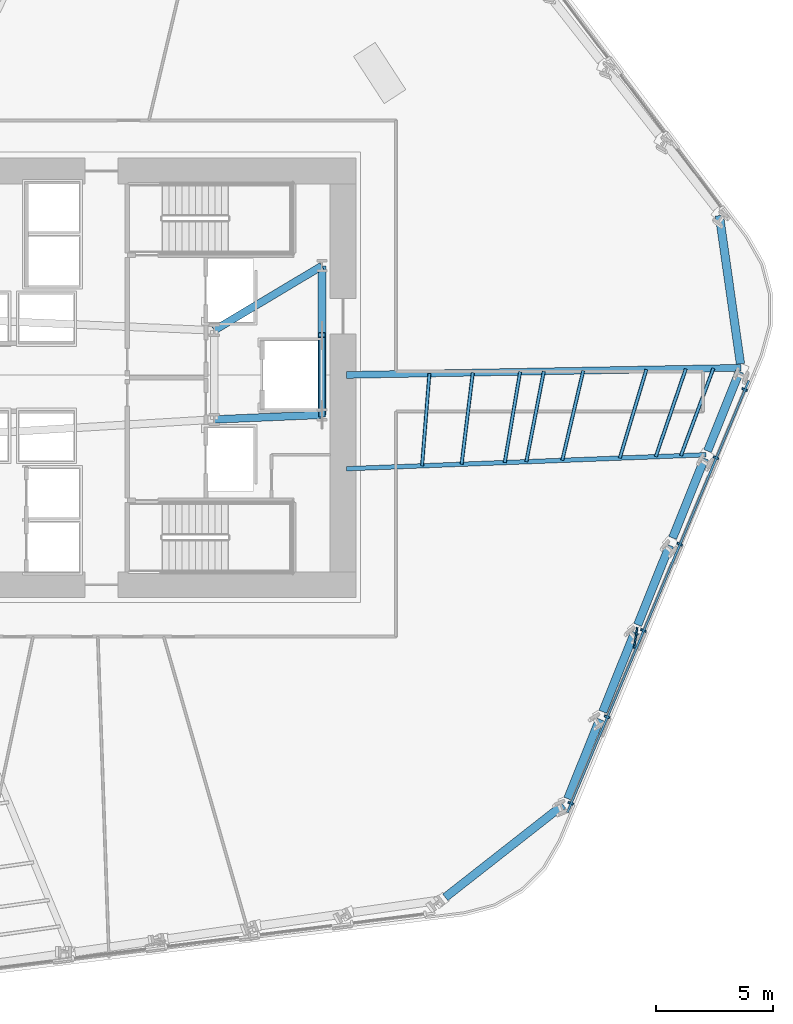
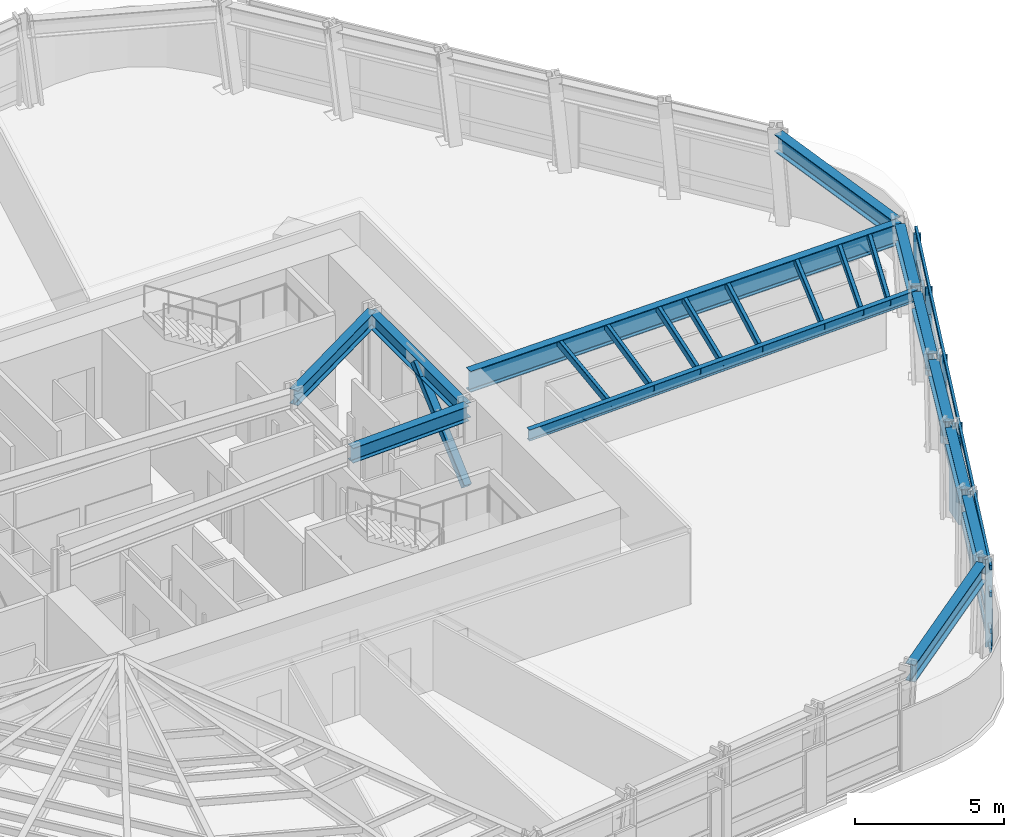
# One storey, part 4 of 16: 20 members, 12 beams, 1 element without a shape of its own.
"""IFC4 building model written with IfcOpenShell, lengths in metres."""

from ifc_helpers import new_model, si_unit, direction, frame, origin, origin_2d, place, context, subcontext, project, spatial, rectangle, hollow_rectangle, i_section, extrude, material, layer, layer_set, material_profile, profile_set, type_object, element, aggregate, save


model = new_model("IFC4")

# Units and contexts
model_context = context("Model", 3, precision=1e-05, world=origin(), true_north=direction((0.0, 1.0)))
body_context = subcontext(model_context, "Body", "Model", "MODEL_VIEW")
ifc_project = project(units=[si_unit("LENGTHUNIT", "METRE"), si_unit("AREAUNIT", "SQUARE_METRE"), si_unit("VOLUMEUNIT", "CUBIC_METRE"), si_unit("PLANEANGLEUNIT", "RADIAN"), si_unit("MASSUNIT", "GRAM", prefix="KILO")], contexts=[model_context])

# Site, building, storey
site_placement = place(None, origin())
site = spatial("IfcSite", under=ifc_project, at=site_placement, CompositionType="ELEMENT")
building_placement = place(site_placement, origin())
building = spatial("IfcBuilding", under=site, at=building_placement, Name="Valkerne Bourse Tower", CompositionType="ELEMENT")
storey_placement = place(building_placement, frame((0.0, 0.0, 54.39990234375)))
storey = spatial("IfcBuildingStorey", under=building, at=storey_placement, Name="L13", CompositionType="ELEMENT", Elevation=54.39990234375)

# Beams
ifc_material_1 = material(Name="Steel ASTM A992", Category="steel")
ifc_material_profile_1 = material_profile(ifc_material_1, i_section(OverallWidth=0.1904296875, OverallDepth=0.457275390625, WebThickness=0.009033203125, FlangeThickness=0.014404296875, FilletRadius=0.01513671875, at=origin_2d()), Name="W18X50")
ifc_profile_set_1 = profile_set([ifc_material_profile_1], Name="Steel ASTM A992")
beam_type_1 = type_object("IfcBeamType", Name="BM-W18X50", PredefinedType="JOIST", material=ifc_profile_set_1)
beam_1_placement = place(storey_placement, frame((71.33349609375, 23.59765625, 3.3515625), z_axis=(-0.999241254612, -0.03894759404, 0.0), x_axis=(0.03894759404, -0.999241254612, 0.0)))
element("IfcBeam", 1, at=beam_1_placement, inside=storey, type_object=beam_type_1, Name="L13 Radial Composite Floor Beam 34", PredefinedType="JOIST", context=body_context, shape_type="SweptSolid", body=[
    extrude(i_section(OverallWidth=0.1904296875, OverallDepth=0.457275390625, WebThickness=0.009033203125, FlangeThickness=0.014404296875, FilletRadius=0.01513671875, at=origin_2d()), origin(), (0.0, 0.0, 1.0), 15.34521484375),
])
ifc_material_profile_2 = material_profile(ifc_material_1, i_section(OverallWidth=0.3251953125, OverallDepth=0.612060546875, WebThickness=0.0126953125, FlangeThickness=0.01904296875, FilletRadius=0.020263671875, at=origin_2d()), Name="W24X104")
ifc_profile_set_2 = profile_set([ifc_material_profile_2], Name="Steel ASTM A992")
beam_type_2 = type_object("IfcBeamType", Name="BM-W24X104", PredefinedType="BEAM", material=ifc_profile_set_2)
beam_2_placement = place(storey_placement, frame((50.35009765625, 25.10009765625, 3.27392578125), z_axis=(0.999056558506, 0.043428019819, 0.0), x_axis=(-0.043428019819, 0.999056558506, 0.0)))
element("IfcBeam", 2, at=beam_2_placement, inside=storey, type_object=beam_type_2, Name="L13 Core Frame Girder CG-SE", PredefinedType="BEAM", context=body_context, shape_type="SweptSolid", body=[
    extrude(i_section(OverallWidth=0.3251953125, OverallDepth=0.612060546875, WebThickness=0.0126953125, FlangeThickness=0.01904296875, FilletRadius=0.020263671875, at=origin_2d()), origin(), (0.0, 0.0, 1.0), 4.604248046875),
])
beam_3_placement = place(storey_placement, frame((50.35009765625, 28.89990234375, 3.27392578125), z_axis=(0.858307823492, 0.513135148019, 0.0), x_axis=(-0.513135148019, 0.858307823492, 0.0)))
element("IfcBeam", 3, at=beam_3_placement, inside=storey, type_object=beam_type_2, Name="L13 Core Frame Girder CG-NE", PredefinedType="BEAM", context=body_context, shape_type="SweptSolid", body=[
    extrude(i_section(OverallWidth=0.3251953125, OverallDepth=0.612060546875, WebThickness=0.0126953125, FlangeThickness=0.01904296875, FilletRadius=0.020263671875, at=origin_2d()), origin(), (0.0, 0.0, 1.0), 5.359130859375),
])
beam_4_placement = place(storey_placement, frame((54.949951171875, 25.300048828125, 3.27392578125), z_axis=(0.0, 1.0, 0.0), x_axis=(-1.0, 0.0, 0.0)))
element("IfcBeam", 4, at=beam_4_placement, inside=storey, type_object=beam_type_2, Name="L13 Core Frame Girder CG-EE", PredefinedType="BEAM", context=body_context, shape_type="SweptSolid", body=[
    extrude(i_section(OverallWidth=0.3251953125, OverallDepth=0.612060546875, WebThickness=0.0126953125, FlangeThickness=0.01904296875, FilletRadius=0.020263671875, at=origin_2d()), origin(), (0.0, 0.0, 1.0), 6.349853515625),
])
ifc_material_profile_3 = material_profile(ifc_material_1, i_section(OverallWidth=0.358154296875, OverallDepth=0.7060546875, WebThickness=0.018310546875, FlangeThickness=0.0302734375, FilletRadius=0.02294921875, at=origin_2d()), Name="W27X178")
ifc_profile_set_3 = profile_set([ifc_material_profile_3], Name="Steel ASTM A992")
beam_type_3 = type_object("IfcBeamType", Name="BM-W27X178", PredefinedType="SPANDREL", material=ifc_profile_set_3)
beam_5_placement = place(storey_placement, frame((60.210205078125, 4.72021484375, 3.22705078125), z_axis=(0.786949098434, 0.617017922328, 0.0), x_axis=(-0.617017922328, 0.786949098434, 0.0)))
element("IfcBeam", 5, at=beam_5_placement, inside=storey, type_object=beam_type_3, Name="L13 Hexagonal Spandrel Ring Beam 29", PredefinedType="SPANDREL", context=body_context, shape_type="SweptSolid", body=[
    extrude(i_section(OverallWidth=0.358154296875, OverallDepth=0.7060546875, WebThickness=0.018310546875, FlangeThickness=0.0302734375, FilletRadius=0.02294921875, at=origin_2d()), origin(), (0.0, 0.0, 1.0), 6.388916015625),
])
for number, where, z_axis, x_axis, name in (
    (6, (65.435302734375, 8.9248046875, 3.22705078125), (0.372944426895, 0.927853681594, 0.0), (-0.927853681594, 0.372944426895, 0.0), "L13 Hexagonal Spandrel Ring Beam 30"),
    (7, (66.92578125, 12.632568359375, 3.22705078125), (0.372944426895, 0.927853681594, 0.0), (-0.927853681594, 0.372944426895, 0.0), "L13 Hexagonal Spandrel Ring Beam 31"),
):
    element("IfcBeam", number, at=place(storey_placement, frame(where, z_axis=z_axis, x_axis=x_axis)), inside=storey, type_object=beam_type_3, Name=name, PredefinedType="SPANDREL", context=body_context, shape_type="SweptSolid", body=[
        extrude(i_section(OverallWidth=0.358154296875, OverallDepth=0.7060546875, WebThickness=0.018310546875, FlangeThickness=0.0302734375, FilletRadius=0.02294921875, at=origin_2d()), origin(), (0.0, 0.0, 1.0), 3.656005859375),
    ])
beam_6_placement = place(storey_placement, frame((68.416015625, 16.340087890625, 3.22705078125), z_axis=(0.373001913109, 0.927830573336, 0.0), x_axis=(-0.927830573336, 0.373001913109, 0.0)))
element("IfcBeam", 8, at=beam_6_placement, inside=storey, type_object=beam_type_3, Name="L13 Hexagonal Spandrel Ring Beam 32", PredefinedType="SPANDREL", context=body_context, shape_type="SweptSolid", body=[
    extrude(i_section(OverallWidth=0.358154296875, OverallDepth=0.7060546875, WebThickness=0.018310546875, FlangeThickness=0.0302734375, FilletRadius=0.02294921875, at=origin_2d()), origin(), (0.0, 0.0, 1.0), 3.65625),
])
beam_7_placement = place(storey_placement, frame((69.906494140625, 20.0478515625, 3.22705078125), z_axis=(0.373025023889, 0.927821282119, 0.0), x_axis=(-0.927821282119, 0.373025023889, 0.0)))
element("IfcBeam", 9, at=beam_7_placement, inside=storey, type_object=beam_type_3, Name="L13 Hexagonal Spandrel Ring Beam 33", PredefinedType="SPANDREL", context=body_context, shape_type="SweptSolid", body=[
    extrude(i_section(OverallWidth=0.358154296875, OverallDepth=0.7060546875, WebThickness=0.018310546875, FlangeThickness=0.0302734375, FilletRadius=0.02294921875, at=origin_2d()), origin(), (0.0, 0.0, 1.0), 3.656005859375),
])
beam_8_placement = place(storey_placement, frame((71.39697265625, 23.75537109375, 3.22705078125), z_axis=(0.373001913109, 0.927830573336, 0.0), x_axis=(-0.927830573336, 0.373001913109, 0.0)))
element("IfcBeam", 10, at=beam_8_placement, inside=storey, type_object=beam_type_3, Name="L13 Hexagonal Spandrel Ring Beam 34", PredefinedType="SPANDREL", context=body_context, shape_type="SweptSolid", body=[
    extrude(i_section(OverallWidth=0.358154296875, OverallDepth=0.7060546875, WebThickness=0.018310546875, FlangeThickness=0.0302734375, FilletRadius=0.02294921875, at=origin_2d()), origin(), (0.0, 0.0, 1.0), 3.65625),
])
beam_9_placement = place(storey_placement, frame((72.800048828125, 27.4736328125, 3.22705078125), z_axis=(-0.140886372416, 0.990025772426, 0.0), x_axis=(-0.990025772426, -0.140886372416, 0.0)))
element("IfcBeam", 11, at=beam_9_placement, inside=storey, type_object=beam_type_3, Name="L13 Hexagonal Spandrel Ring Beam 35", PredefinedType="SPANDREL", context=body_context, shape_type="SweptSolid", body=[
    extrude(i_section(OverallWidth=0.358154296875, OverallDepth=0.7060546875, WebThickness=0.018310546875, FlangeThickness=0.0302734375, FilletRadius=0.02294921875, at=origin_2d()), origin(), (0.0, 0.0, 1.0), 6.38916015625),
])
ifc_material_profile_4 = material_profile(ifc_material_1, i_section(OverallWidth=0.2919921875, OverallDepth=0.8583984375, WebThickness=0.01708984375, FlangeThickness=0.031005859375, FilletRadius=0.025390625, at=origin_2d()), Name="W33X169")
ifc_profile_set_4 = profile_set([ifc_material_profile_4], Name="Steel ASTM A992")
beam_type_4 = type_object("IfcBeamType", Name="BM-W33X169", PredefinedType="BEAM", material=ifc_profile_set_4)
beam_10_placement = place(storey_placement, frame((72.82421875, 27.305419921875, 3.15087890625), z_axis=(-0.999835264352, -0.018150596641, 0.0), x_axis=(0.018150596641, -0.999835264352, 0.0)))
element("IfcBeam", 12, at=beam_10_placement, inside=storey, type_object=beam_type_4, Name="L13 Radial Composite Floor Beam 35", PredefinedType="BEAM", context=body_context, shape_type="SweptSolid", body=[
    extrude(i_section(OverallWidth=0.2919921875, OverallDepth=0.8583984375, WebThickness=0.01708984375, FlangeThickness=0.031005859375, FilletRadius=0.025390625, at=origin_2d()), origin(), (0.0, 0.0, 1.0), 16.826904296875),
])

# Curtain wall, members
ifc_material_2 = material(Name="Aluminium AA 6063-T6", Category="aluminium")
ifc_layer = layer(ifc_material_2, 0.22509765625)
ifc_layer_set = layer_set([ifc_layer], Name="Aluminium AA 6063-T6")
curtain_wall_type = type_object("IfcCurtainWallType", Name="CW-01", PredefinedType="NOTDEFINED", material=ifc_layer_set)
curtain_wall_placement = place(storey_placement, origin())
curtain_wall = element("IfcCurtainWall", 13, at=curtain_wall_placement, inside=storey, type_object=curtain_wall_type, Name="L13 Hexagonal Stick Curtain Wall Face 6", PredefinedType="NOTDEFINED")
ifc_material_profile_5 = material_profile(ifc_material_2, rectangle(XDim=0.090087890625, YDim=0.239990234375, at=origin_2d()), Name="CWM-90X240")
ifc_profile_set_5 = profile_set([ifc_material_profile_5], Name="Aluminium AA 6063-T6")
member_type_1 = type_object("IfcMemberType", Name="CW-MUL-240X90", PredefinedType="MULLION", material=ifc_profile_set_5)
member_1_placement = place(storey_placement, frame((65.559326171875, 8.733154296875, 0.0), z_axis=(0.0, 0.0, 1.0), x_axis=(0.387509858952, 0.921865559187, 0.0)))
member_1 = element("IfcMember", 14, at=member_1_placement, type_object=member_type_1, Name="CW-L13-F6 Jamb Mullion 00A", PredefinedType="MULLION", context=body_context, shape_type="SweptSolid", body=[
    extrude(rectangle(XDim=0.090087890625, YDim=0.239990234375, at=origin_2d()), origin(), (0.0, 0.0, 1.0), 3.580078125),
])
member_2_placement = place(storey_placement, frame((67.10791015625, 12.4169921875, 0.0), z_axis=(0.0, 0.0, 1.0), x_axis=(0.387509858952, 0.921865559187, 0.0)))
member_2 = element("IfcMember", 15, at=member_2_placement, type_object=member_type_1, Name="CW-L13-F6 Jamb Mullion 01A", PredefinedType="MULLION", context=body_context, shape_type="SweptSolid", body=[
    extrude(rectangle(XDim=0.090087890625, YDim=0.239990234375, at=origin_2d()), origin(), (0.0, 0.0, 1.0), 3.580078125),
])
member_3_placement = place(storey_placement, frame((68.65625, 16.1005859375, 0.0), z_axis=(0.0, 0.0, 1.0), x_axis=(0.387540065854, 0.921852861013, 0.0)))
member_3 = element("IfcMember", 16, at=member_3_placement, type_object=member_type_1, Name="CW-L13-F6 Jamb Mullion 02A", PredefinedType="MULLION", context=body_context, shape_type="SweptSolid", body=[
    extrude(rectangle(XDim=0.090087890625, YDim=0.239990234375, at=origin_2d()), origin(), (0.0, 0.0, 1.0), 3.580078125),
])
member_4_placement = place(storey_placement, frame((70.204833984375, 19.784423828125, 0.0), z_axis=(0.0, 0.0, 1.0), x_axis=(0.387509858952, 0.921865559187, 0.0)))
member_4 = element("IfcMember", 17, at=member_4_placement, type_object=member_type_1, Name="CW-L13-F6 Jamb Mullion 03A", PredefinedType="MULLION", context=body_context, shape_type="SweptSolid", body=[
    extrude(rectangle(XDim=0.090087890625, YDim=0.239990234375, at=origin_2d()), origin(), (0.0, 0.0, 1.0), 3.580078125),
])
member_5_placement = place(storey_placement, frame((71.75341796875, 23.46826171875, 0.0), z_axis=(0.0, 0.0, 1.0), x_axis=(0.387509858952, 0.921865559187, 0.0)))
member_5 = element("IfcMember", 18, at=member_5_placement, type_object=member_type_1, Name="CW-L13-F6 Jamb Mullion 04A", PredefinedType="MULLION", context=body_context, shape_type="SweptSolid", body=[
    extrude(rectangle(XDim=0.090087890625, YDim=0.239990234375, at=origin_2d()), origin(), (0.0, 0.0, 1.0), 3.580078125),
])
member_6_placement = place(storey_placement, frame((72.976318359375, 26.377685546875, 0.0), z_axis=(0.0, 0.0, 1.0), x_axis=(0.387509858952, 0.921865559187, 0.0)))
member_6 = element("IfcMember", 19, at=member_6_placement, type_object=member_type_1, Name="CW-L13-F6 Jamb Mullion 04B", PredefinedType="MULLION", context=body_context, shape_type="SweptSolid", body=[
    extrude(rectangle(XDim=0.090087890625, YDim=0.239990234375, at=origin_2d()), origin(), (0.0, 0.0, 1.0), 3.580078125),
])
ifc_material_profile_6 = material_profile(ifc_material_2, rectangle(XDim=0.090087890625, YDim=0.179931640625, at=origin_2d()), Name="CWT-90X180")
ifc_profile_set_6 = profile_set([ifc_material_profile_6], Name="Aluminium AA 6063-T6")
member_type_2 = type_object("IfcMemberType", Name="CW-TRN-180X90", PredefinedType="USERDEFINED", material=ifc_profile_set_6)
member_7_placement = place(storey_placement, frame((65.4150390625, 8.338134765625, 0.1201171875), z_axis=(0.387518313392, 0.921862005284, 0.0), x_axis=(-0.921862005284, 0.387518313392, 0.0)))
member_7 = element("IfcMember", 20, at=member_7_placement, type_object=member_type_2, Name="CW-L13-F6 Continuous Face Transom 1", ObjectType="TRANSOM", PredefinedType="USERDEFINED", context=body_context, shape_type="SweptSolid", body=[
    extrude(rectangle(XDim=0.090087890625, YDim=0.179931640625, at=origin_2d()), origin(), (0.0, 0.0, 1.0), 19.980224609375),
])
member_8_placement = place(storey_placement, frame((65.4150390625, 8.338134765625, 0.900146484375), z_axis=(0.387518313392, 0.921862005284, 0.0), x_axis=(-0.921862005284, 0.387518313392, 0.0)))
member_8 = element("IfcMember", 21, at=member_8_placement, type_object=member_type_2, Name="CW-L13-F6 Continuous Face Transom 2", ObjectType="TRANSOM", PredefinedType="USERDEFINED", context=body_context, shape_type="SweptSolid", body=[
    extrude(rectangle(XDim=0.090087890625, YDim=0.179931640625, at=origin_2d()), origin(), (0.0, 0.0, 1.0), 19.980224609375),
])
member_9_placement = place(storey_placement, frame((65.4150390625, 8.338134765625, 2.400146484375), z_axis=(0.387518313392, 0.921862005284, 0.0), x_axis=(-0.921862005284, 0.387518313392, 0.0)))
member_9 = element("IfcMember", 22, at=member_9_placement, type_object=member_type_2, Name="CW-L13-F6 Continuous Face Transom 3", ObjectType="TRANSOM", PredefinedType="USERDEFINED", context=body_context, shape_type="SweptSolid", body=[
    extrude(rectangle(XDim=0.090087890625, YDim=0.179931640625, at=origin_2d()), origin(), (0.0, 0.0, 1.0), 19.980224609375),
])
member_10_placement = place(storey_placement, frame((65.4150390625, 8.338134765625, 3.5), z_axis=(0.387518313392, 0.921862005284, 0.0), x_axis=(-0.921862005284, 0.387518313392, 0.0)))
member_10 = element("IfcMember", 23, at=member_10_placement, type_object=member_type_2, Name="CW-L13-F6 Continuous Face Transom 4", ObjectType="TRANSOM", PredefinedType="USERDEFINED", context=body_context, shape_type="SweptSolid", body=[
    extrude(rectangle(XDim=0.090087890625, YDim=0.179931640625, at=origin_2d()), origin(), (0.0, 0.0, 1.0), 19.980224609375),
])
aggregate(curtain_wall, [member_7, member_8, member_9, member_10, member_1, member_2, member_3, member_4, member_5, member_6])

# Members
ifc_material_3 = material(Name="Bronze Anodised Aluminium AA 6063-T6", Category="aluminium")
ifc_material_profile_7 = material_profile(ifc_material_3, rectangle(XDim=0.070068359375, YDim=0.89990234375, at=origin_2d()), Name="FIN-70X900")
ifc_profile_set_7 = profile_set([ifc_material_profile_7], Name="Bronze Anodised Aluminium AA 6063-T6")
member_type_3 = type_object("IfcMemberType", Name="FIN-SOLAR-900", PredefinedType="USERDEFINED", material=ifc_profile_set_7)
member_11_placement = place(storey_placement, frame((68.32763671875, 15.783203125, 0.004150390625), z_axis=(0.0, 0.0, 1.0), x_axis=(0.988162184222, -0.153412834121, 0.0)))
element("IfcMember", 24, at=member_11_placement, inside=storey, type_object=member_type_3, Name="L13 Bronze Anodised Solar Fin F6-02", ObjectType="SOLAR_FIN", PredefinedType="USERDEFINED", context=body_context, shape_type="SweptSolid", body=[
    extrude(rectangle(XDim=0.070068359375, YDim=0.89990234375, at=origin_2d()), origin(), (0.0, 0.0, 1.0), 3.572021484375),
])
ifc_material_4 = material(Name="Steel ASTM A500 Grade C", Category="steel")
ifc_material_profile_8 = material_profile(ifc_material_4, hollow_rectangle(XDim=0.14990234375, YDim=0.300048828125, WallThickness=0.012451171875, OuterFilletRadius=0.02490234375, at=origin_2d()), Name="HSS300X150X12.5")
ifc_profile_set_8 = profile_set([ifc_material_profile_8], Name="Steel ASTM A500 Grade C")
member_type_4 = type_object("IfcMemberType", Name="MBR-HSS300X150X12.5", PredefinedType="PURLIN", material=ifc_profile_set_8)
member_12_placement = place(storey_placement, frame((60.90673828125, 23.19140625, 3.420166015625), z_axis=(0.12122434459, 0.992625134821, 0.0), x_axis=(-0.992625134821, 0.12122434459, 0.0)))
element("IfcMember", 25, at=member_12_placement, inside=storey, type_object=member_type_4, Name="L13 Secondary Composite Floor Purlin I-34", PredefinedType="PURLIN", context=body_context, shape_type="SweptSolid", body=[
    extrude(hollow_rectangle(XDim=0.14990234375, YDim=0.300048828125, WallThickness=0.012451171875, OuterFilletRadius=0.02490234375, at=origin_2d()), origin(), (0.0, 0.0, 1.0), 3.935302734375),
])
member_13_placement = place(storey_placement, frame((62.746826171875, 23.262939453125, 3.420166015625), z_axis=(0.166999645779, 0.985956955607, 0.0), x_axis=(-0.985956955607, 0.166999645779, 0.0)))
element("IfcMember", 26, at=member_13_placement, inside=storey, type_object=member_type_4, Name="L13 Secondary Composite Floor Purlin K-34", PredefinedType="PURLIN", context=body_context, shape_type="SweptSolid", body=[
    extrude(hollow_rectangle(XDim=0.14990234375, YDim=0.300048828125, WallThickness=0.012451171875, OuterFilletRadius=0.02490234375, at=origin_2d()), origin(), (0.0, 0.0, 1.0), 3.9267578125),
])
member_14_placement = place(storey_placement, frame((63.666748046875, 23.298828125, 3.420166015625), z_axis=(0.18989232969, 0.981804921115, 0.0), x_axis=(-0.981804921115, 0.18989232969, 0.0)))
element("IfcMember", 27, at=member_14_placement, inside=storey, type_object=member_type_4, Name="L13 Secondary Composite Floor Purlin M-34", PredefinedType="PURLIN", context=body_context, shape_type="SweptSolid", body=[
    extrude(hollow_rectangle(XDim=0.14990234375, YDim=0.300048828125, WallThickness=0.012451171875, OuterFilletRadius=0.02490234375, at=origin_2d()), origin(), (0.0, 0.0, 1.0), 3.92529296875),
])
member_15_placement = place(storey_placement, frame((67.653564453125, 23.454345703125, 3.420166015625), z_axis=(0.287222944321, 0.957863758713, 0.0), x_axis=(-0.957863758713, 0.287222944321, 0.0)))
element("IfcMember", 28, at=member_15_placement, inside=storey, type_object=member_type_4, Name="L13 Secondary Composite Floor Purlin O-34", PredefinedType="PURLIN", context=body_context, shape_type="SweptSolid", body=[
    extrude(hollow_rectangle(XDim=0.14990234375, YDim=0.300048828125, WallThickness=0.012451171875, OuterFilletRadius=0.02490234375, at=origin_2d()), origin(), (0.0, 0.0, 1.0), 3.944091796875),
])
member_16_placement = place(storey_placement, frame((65.2001953125, 23.358642578125, 3.420166015625), z_axis=(0.227691367329, 0.973733352229, 0.0), x_axis=(-0.973733352229, 0.227691367329, 0.0)))
element("IfcMember", 29, at=member_16_placement, inside=storey, type_object=member_type_4, Name="L13 Secondary Composite Floor Purlin Z-34", PredefinedType="PURLIN", context=body_context, shape_type="SweptSolid", body=[
    extrude(hollow_rectangle(XDim=0.14990234375, YDim=0.300048828125, WallThickness=0.012451171875, OuterFilletRadius=0.02490234375, at=origin_2d()), origin(), (0.0, 0.0, 1.0), 3.927734375),
])
member_17_placement = place(storey_placement, frame((59.22021484375, 23.12548828125, 3.420166015625), z_axis=(0.079214740666, 0.996857575013, 0.0), x_axis=(-0.996857575013, 0.079214740666, 0.0)))
element("IfcMember", 30, at=member_17_placement, inside=storey, type_object=member_type_4, Name="L13 Secondary Composite Floor Purlin S-34", PredefinedType="PURLIN", context=body_context, shape_type="SweptSolid", body=[
    extrude(hollow_rectangle(XDim=0.14990234375, YDim=0.300048828125, WallThickness=0.012451171875, OuterFilletRadius=0.02490234375, at=origin_2d()), origin(), (0.0, 0.0, 1.0), 3.951171875),
])
member_18_placement = place(storey_placement, frame((69.18701171875, 23.513916015625, 3.420166015625), z_axis=(0.323520722699, 0.946221085151, 0.0), x_axis=(-0.946221085151, 0.323520722699, 0.0)))
element("IfcMember", 31, at=member_18_placement, inside=storey, type_object=member_type_4, Name="L13 Secondary Composite Floor Purlin T-34", PredefinedType="PURLIN", context=body_context, shape_type="SweptSolid", body=[
    extrude(hollow_rectangle(XDim=0.14990234375, YDim=0.300048828125, WallThickness=0.012451171875, OuterFilletRadius=0.02490234375, at=origin_2d()), origin(), (0.0, 0.0, 1.0), 3.9619140625),
])
member_19_placement = place(storey_placement, frame((70.26025390625, 23.555908203125, 3.420166015625), z_axis=(0.348525559521, 0.937299276838, 0.0), x_axis=(-0.937299276838, 0.348525559521, 0.0)))
element("IfcMember", 32, at=member_19_placement, inside=storey, type_object=member_type_4, Name="L13 Secondary Composite Floor Purlin U-34", PredefinedType="PURLIN", context=body_context, shape_type="SweptSolid", body=[
    extrude(hollow_rectangle(XDim=0.14990234375, YDim=0.300048828125, WallThickness=0.012451171875, OuterFilletRadius=0.02490234375, at=origin_2d()), origin(), (0.0, 0.0, 1.0), 3.977294921875),
])
ifc_material_profile_9 = material_profile(ifc_material_4, hollow_rectangle(XDim=0.300048828125, YDim=0.300048828125, WallThickness=0.012451171875, OuterFilletRadius=0.02490234375, at=origin_2d()), Name="HSS300X300X12.5")
ifc_profile_set_9 = profile_set([ifc_material_profile_9], Name="Steel ASTM A500 Grade C")
member_type_5 = type_object("IfcMemberType", Name="MBR-HSS300X300X12.5", PredefinedType="STRUT", material=ifc_profile_set_9)
member_20_placement = place(storey_placement, frame((54.949951171875, 25.300048828125, 0.22021484375), z_axis=(0.0, 0.743968491622, 0.668214698636), x_axis=(-1.0, 0.0, 0.0)))
element("IfcMember", 33, at=member_20_placement, inside=storey, type_object=member_type_5, Name="L13 Core Service Pier Lateral Brace", PredefinedType="STRUT", context=body_context, shape_type="SweptSolid", body=[
    extrude(hollow_rectangle(XDim=0.300048828125, YDim=0.300048828125, WallThickness=0.012451171875, OuterFilletRadius=0.02490234375, at=origin_2d()), origin(), (0.0, 0.0, 1.0), 4.570068359375),
])

save(model, "model.ifc")
